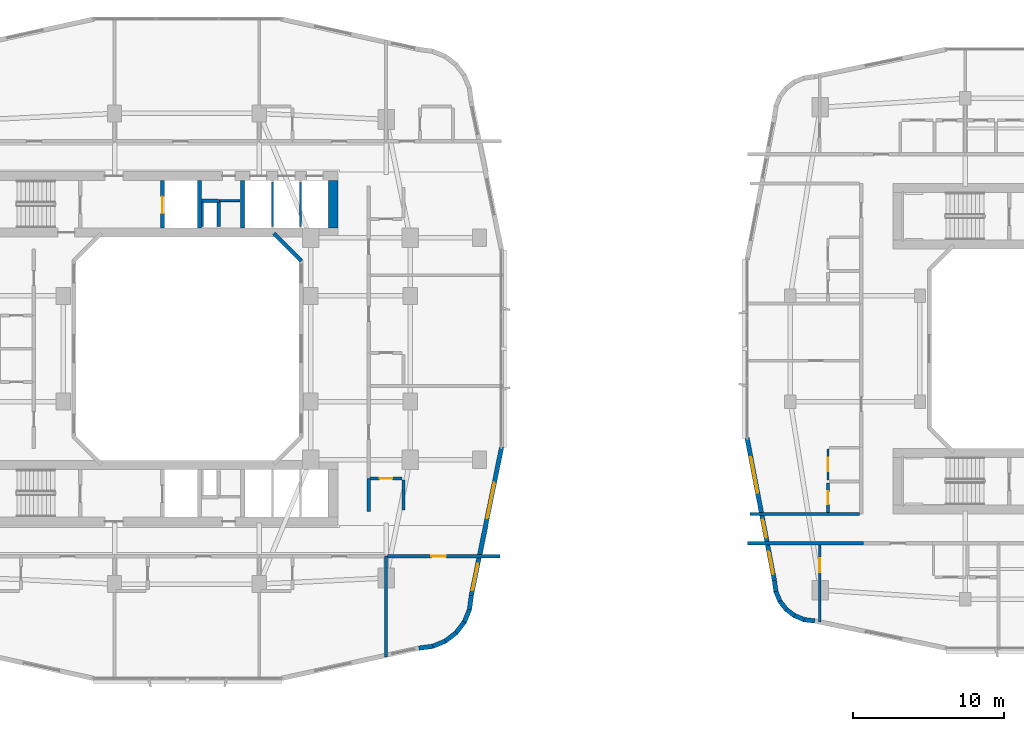
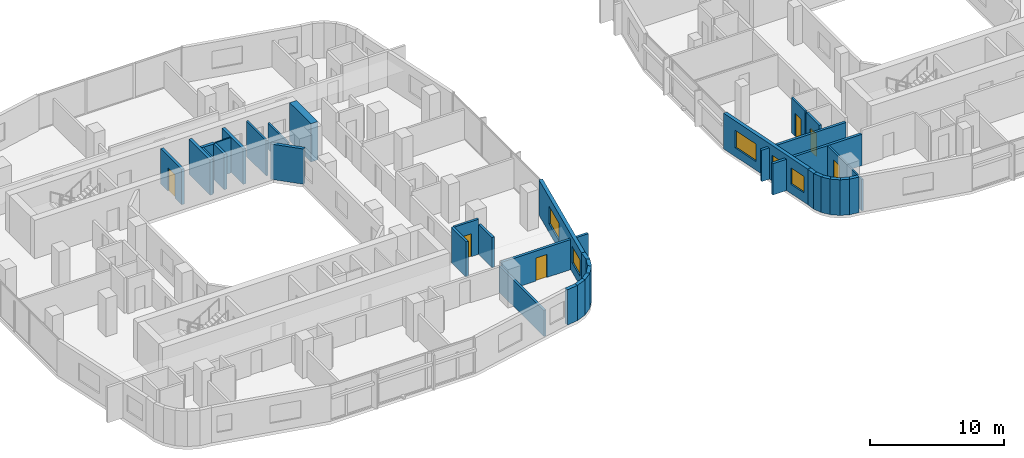
# One storey, part 15 of 27: 35 walls, 6 doors, 5 windows, 11 openings.
"""IFC4 building model written with IfcOpenShell, lengths in metres."""

from ifc_helpers import new_model, si_unit, derived_unit, direction, frame, frame_2d, origin, place, context, subcontext, project, spatial, rectangle, extrude, material, layer, layer_set, type_object, element, fill, save


model = new_model("IFC4")

# Units and contexts
model_context = context("Model", 3, precision=1e-05, world=origin(), true_north=direction((0.0, 1.0)))
body_context = subcontext(model_context, "Body", "Model", "MODEL_VIEW")
ifc_project = project(units=[si_unit("LENGTHUNIT", "METRE"), si_unit("AREAUNIT", "SQUARE_METRE"), si_unit("VOLUMEUNIT", "CUBIC_METRE"), si_unit("PLANEANGLEUNIT", "RADIAN"), si_unit("MASSUNIT", "GRAM", prefix="KILO"), derived_unit("THERMALTRANSMITTANCEUNIT", [(si_unit("POWERUNIT", "WATT"), 1), (si_unit("LENGTHUNIT", "METRE"), -2), (si_unit("THERMODYNAMICTEMPERATUREUNIT", "KELVIN"), -1)])], contexts=[model_context])

# Site, building, storey
site_placement = place(None, origin())
site = spatial("IfcSite", under=ifc_project, at=site_placement, CompositionType="ELEMENT")
building_placement = place(site_placement, origin())
building = spatial("IfcBuilding", under=site, at=building_placement, Name="Kivonza Crest Hotel", CompositionType="ELEMENT")
storey_placement = place(building_placement, frame((0.0, 0.0, 31.0)))
storey = spatial("IfcBuildingStorey", under=building, at=storey_placement, Name="L07", CompositionType="ELEMENT", Elevation=31.0)

# Wall
ifc_material_1 = material(Name="High-density acoustic masonry inter-tenancy wall", Category="masonry")
ifc_layer_1 = layer(ifc_material_1, 0.179931640625)
ifc_layer_set_1 = layer_set([ifc_layer_1], Name="High-density acoustic masonry inter-tenancy wall")
wall_type_1 = type_object("IfcWallType", Name="WL-ACOU-180", PredefinedType="SOLIDWALL", material=ifc_layer_set_1)
wall_1_placement = place(storey_placement, frame((34.199951171875, 4.575927734375, 0.0), z_axis=(0.0, 0.0, 1.0), x_axis=(0.0, 1.0, 0.0)))
element("IfcWall", 1, at=wall_1_placement, inside=storey, type_object=wall_type_1, Name="L07 interior partition WA-L07-T1S-DIV4", PredefinedType="SOLIDWALL", context=body_context, shape_type="SweptSolid", body=[
    extrude(rectangle(XDim=6.674072265625, YDim=0.179931640625, at=frame_2d((3.3369140625, 0.0))), origin(), (0.0, 0.0, 1.0), 2.39501953125),
])

# Wall, opening, door
ifc_material_2 = material(Name="Autoclaved aerated concrete blockwork", Category="masonry")
ifc_layer_2 = layer(ifc_material_2, 0.219970703125)
ifc_layer_set_2 = layer_set([ifc_layer_2], Name="Autoclaved aerated concrete blockwork")
wall_type_2 = type_object("IfcWallType", Name="WL-ACOU-220", PredefinedType="SOLIDWALL", material=ifc_layer_set_2)
wall_2_placement = place(storey_placement, frame((34.300048828125, 11.25, 0.0), z_axis=(0.0, 0.0, 1.0), x_axis=(1.0, 0.0, 0.0)))
wall_2 = element("IfcWall", 2, at=wall_2_placement, inside=storey, type_object=wall_type_2, Name="L07 interior partition WA-L07-BUS-MTG-N", PredefinedType="SOLIDWALL", context=body_context, shape_type="SweptSolid", body=[
    extrude(rectangle(XDim=7.43994140625, YDim=0.219970703125, at=frame_2d((3.719970703125, 0.0))), origin(), (0.0, 0.0, 1.0), 2.7451171875),
])
opening_1_placement = place(wall_2_placement, frame((2.910888671875, 0.0, 0.0)))
opening_1 = element("IfcOpeningElement", 3, at=opening_1_placement, cuts=wall_2, Name="Opening DF-60S", PredefinedType="OPENING", context=body_context, shape_type="SweptSolid", body=[
    extrude(rectangle(XDim=0.949951171875, YDim=2.10009765625, at=frame_2d((0.47509765625, 1.050048828125))), frame((0.0, 0.1201171875, 0.0), z_axis=(0.0, -1.0, 0.0), x_axis=(1.0, 0.0, 0.0)), (0.0, 0.0, 1.0), 0.239990234375),
])
ifc_material_3 = material(Name="Hardwood timber oak", Category="wood")
door_type_1 = type_object("IfcDoorType", Name="DR-FD60-950", OperationType="NOTDEFINED", PredefinedType="DOOR", material=ifc_material_3)
door_1_placement = place(opening_1_placement, frame((0.949951171875, 0.0, 0.0), z_axis=(0.0, 0.0, 1.0), x_axis=(-1.0, 0.0, 0.0)))
door_1 = element("IfcDoor", 4, at=door_1_placement, inside=storey, type_object=door_type_1, Name="L07 Floor Beverage Kitchen door", OperationType="SINGLE_SWING_RIGHT", OverallHeight=2.10009765625, OverallWidth=0.949951171875, PredefinedType="DOOR", context=body_context, shape_type="SweptSolid", body=[
    extrude(rectangle(XDim=0.949951171875, YDim=2.10009765625, at=frame_2d((0.47509765625, 1.050048828125))), frame((0.0, 0.02490234375, 0.0), z_axis=(0.0, -1.0, 0.0), x_axis=(1.0, 0.0, 0.0)), (0.0, 0.0, 1.0), 0.050048828125),
])
fill(opening_1, door_1)

# Walls
wall_3_placement = place(storey_placement, frame((33.050048828125, 14.199951171875, 0.0), z_axis=(0.0, 0.0, 1.0), x_axis=(0.0, 1.0, 0.0)))
element("IfcWall", 5, at=wall_3_placement, inside=storey, type_object=wall_type_2, Name="L07 interior partition WA-L07-E10-BCORR", PredefinedType="SOLIDWALL", context=body_context, shape_type="SweptSolid", body=[
    extrude(rectangle(XDim=2.199951171875, YDim=0.219970703125, at=frame_2d((1.10009765625, 0.0))), origin(), (0.0, 0.0, 1.0), 3.219970703125),
])
wall_4_placement = place(storey_placement, frame((58.159912109375, 12.10009765625, 0.0), z_axis=(0.0, 0.0, 1.0), x_axis=(1.0, 0.0, 0.0)))
element("IfcWall", 6, at=wall_4_placement, inside=storey, type_object=wall_type_2, Name="L07 interior partition WA-L07-A04-LCORR", PredefinedType="SOLIDWALL", context=body_context, shape_type="SweptSolid", body=[
    extrude(rectangle(XDim=7.690185546875, YDim=0.219970703125, at=frame_2d((3.84521484375, 0.0))), origin(), (0.0, 0.0, 1.0), 2.864990234375),
])
wall_5_placement = place(storey_placement, frame((58.320068359375, 14.0400390625, 0.0), z_axis=(0.0, 0.0, 1.0), x_axis=(1.0, 0.0, 0.0)))
element("IfcWall", 7, at=wall_5_placement, inside=storey, type_object=wall_type_2, Name="L07 interior partition WA-L07-T2W-ENDS", PredefinedType="SOLIDWALL", context=body_context, shape_type="SweptSolid", body=[
    extrude(rectangle(XDim=7.280029296875, YDim=0.219970703125, at=frame_2d((3.64013671875, 0.0))), origin(), (0.0, 0.0, 1.0), 2.864990234375),
])
ifc_material_4 = material(Name="Concrete C60/75", Category="concrete")
ifc_layer_3 = layer(ifc_material_4, 0.60009765625)
ifc_layer_set_3 = layer_set([ifc_layer_3], Name="Concrete C60/75")
wall_type_3 = type_object("IfcWallType", Name="WL-CORE-600", PredefinedType="SHEAR", material=ifc_layer_set_3)
wall_6_placement = place(storey_placement, frame((30.699951171875, 33.0, 0.0), z_axis=(0.0, 0.0, 1.0), x_axis=(0.0, 1.0, 0.0)))
element("IfcWall", 8, at=wall_6_placement, inside=storey, type_object=wall_type_3, Name="Core wall T1-N East L07", PredefinedType="SHEAR", context=body_context, shape_type="SweptSolid", body=[
    extrude(rectangle(XDim=3.159912109375, YDim=0.60009765625, at=frame_2d((1.580078125, 0.0))), origin(), (0.0, 0.0, 1.0), 3.5),
])
ifc_material_5 = material(Name="Precast concrete C40/50", Category="concrete")
ifc_layer_4 = layer(ifc_material_5, 0.260009765625)
ifc_layer_set_4 = layer_set([ifc_layer_4], Name="Precast concrete C40/50")
wall_type_4 = type_object("IfcWallType", Name="WL-EXT-260", PredefinedType="STANDARD", material=ifc_layer_set_4)
wall_7_placement = place(storey_placement, frame((28.595947265625, 30.827880859375, 0.0), z_axis=(0.0, 0.0, 1.0), x_axis=(-0.707059717605, 0.707153841636, 0.0)))
element("IfcWall", 9, at=wall_7_placement, inside=storey, type_object=wall_type_4, Name="L07 T1 light-well exterior wall 4", PredefinedType="STANDARD", context=body_context, shape_type="SweptSolid", body=[
    extrude(rectangle(XDim=2.59375, YDim=0.260009765625, at=frame_2d((1.296875, 0.0))), origin(), (0.0, 0.0, 1.0), 3.219970703125),
])
ifc_layer_5 = layer(ifc_material_5, 0.300048828125)
ifc_layer_set_5 = layer_set([ifc_layer_5], Name="Precast concrete C40/50")
wall_type_5 = type_object("IfcWallType", Name="WL-EXT-300", PredefinedType="STANDARD", material=ifc_layer_set_5)
wall_8_placement = place(storey_placement, frame((36.3720703125, 5.14794921875, 0.0), z_axis=(0.0, 0.0, 1.0), x_axis=(0.991359246108, 0.131174864804, 0.0)))
element("IfcWall", 10, at=wall_8_placement, inside=storey, type_object=wall_type_5, Name="L07 T1 exterior insulated wall 10", PredefinedType="STANDARD", context=body_context, shape_type="SweptSolid", body=[
    extrude(rectangle(XDim=0.93798828125, YDim=0.300048828125, at=frame_2d((0.468994140625, 0.0))), origin(), (0.0, 0.0, 1.0), 3.219970703125),
])
wall_9_placement = place(storey_placement, frame((37.251953125, 5.251953125, 0.0), z_axis=(0.0, 0.0, 1.0), x_axis=(0.924019948111, 0.382344263057, 0.0)))
element("IfcWall", 11, at=wall_9_placement, inside=storey, type_object=wall_type_5, Name="L07 T1 exterior insulated wall 11", PredefinedType="STANDARD", context=body_context, shape_type="SweptSolid", body=[
    extrude(rectangle(XDim=0.95458984375, YDim=0.300048828125, at=frame_2d((0.477294921875, 0.0))), origin(), (0.0, 0.0, 1.0), 3.219970703125),
])
wall_10_placement = place(storey_placement, frame((38.089111328125, 5.5859375, 0.0), z_axis=(0.0, 0.0, 1.0), x_axis=(0.793573440799, 0.608474481025, 0.0)))
element("IfcWall", 12, at=wall_10_placement, inside=storey, type_object=wall_type_5, Name="L07 T1 exterior insulated wall 12", PredefinedType="STANDARD", context=body_context, shape_type="SweptSolid", body=[
    extrude(rectangle(XDim=0.954833984375, YDim=0.300048828125, at=frame_2d((0.4775390625, 0.0))), origin(), (0.0, 0.0, 1.0), 3.219970703125),
])
wall_11_placement = place(storey_placement, frame((38.81201171875, 6.125, 0.0), z_axis=(0.0, 0.0, 1.0), x_axis=(0.608351047625, 0.793668068435, 0.0)))
element("IfcWall", 13, at=wall_11_placement, inside=storey, type_object=wall_type_5, Name="L07 T1 exterior insulated wall 13", PredefinedType="STANDARD", context=body_context, shape_type="SweptSolid", body=[
    extrude(rectangle(XDim=0.955078125, YDim=0.300048828125, at=frame_2d((0.4775390625, 0.0))), origin(), (0.0, 0.0, 1.0), 3.219970703125),
])
wall_12_placement = place(storey_placement, frame((39.368896484375, 6.833984375, 0.0), z_axis=(0.0, 0.0, 1.0), x_axis=(0.382344263057, 0.924019948111, 0.0)))
element("IfcWall", 14, at=wall_12_placement, inside=storey, type_object=wall_type_5, Name="L07 T1 exterior insulated wall 14", PredefinedType="STANDARD", context=body_context, shape_type="SweptSolid", body=[
    extrude(rectangle(XDim=0.95458984375, YDim=0.300048828125, at=frame_2d((0.477294921875, 0.0))), origin(), (0.0, 0.0, 1.0), 3.219970703125),
])
wall_13_placement = place(storey_placement, frame((39.72509765625, 7.6630859375, 0.0), z_axis=(0.0, 0.0, 1.0), x_axis=(0.130454512571, 0.991454295543, 0.0)))
element("IfcWall", 15, at=wall_13_placement, inside=storey, type_object=wall_type_5, Name="L07 T1 exterior insulated wall 15", PredefinedType="STANDARD", context=body_context, shape_type="SweptSolid", body=[
    extrude(rectangle(XDim=0.97314453125, YDim=0.300048828125, at=frame_2d((0.486572265625, 0.0))), origin(), (0.0, 0.0, 1.0), 3.219970703125),
])

# Wall, openings, windows
wall_14_placement = place(storey_placement, frame((39.85107421875, 8.6220703125, 0.0), z_axis=(0.0, 0.0, 1.0), x_axis=(0.199990901713, 0.979797754249, 0.0)))
wall_14 = element("IfcWall", 16, at=wall_14_placement, inside=storey, type_object=wall_type_5, Name="L07 T1 exterior insulated wall 16", PredefinedType="STANDARD", context=body_context, shape_type="SweptSolid", body=[
    extrude(rectangle(XDim=10.065185546875, YDim=0.300048828125, at=frame_2d((5.03271484375, 0.0))), origin(), (0.0, 0.0, 1.0), 3.219970703125),
])
opening_2_placement = place(wall_14_placement, frame((0.3779296875, 0.0, 0.85009765625)))
opening_2 = element("IfcOpeningElement", 17, at=opening_2_placement, cuts=wall_14, Name="Opening WN-03", PredefinedType="OPENING", context=body_context, shape_type="SweptSolid", body=[
    extrude(rectangle(XDim=1.800048828125, YDim=1.5, at=frame_2d((0.89990234375, 0.75))), frame((0.0, 0.16015625, 0.0), z_axis=(0.0, -1.0, 0.0), x_axis=(1.0, 0.0, 0.0)), (0.0, 0.0, 1.0), 0.320068359375),
])
opening_3_placement = place(wall_14_placement, frame((5.236083984375, 0.0, 0.800048828125)))
opening_3 = element("IfcOpeningElement", 18, at=opening_3_placement, cuts=wall_14, Name="Opening WN-05", PredefinedType="OPENING", context=body_context, shape_type="SweptSolid", body=[
    extrude(rectangle(XDim=2.39990234375, YDim=1.60009765625, at=frame_2d((1.199951171875, 0.800048828125))), frame((0.0, 0.16015625, 0.0), z_axis=(0.0, -1.0, 0.0), x_axis=(1.0, 0.0, 0.0)), (0.0, 0.0, 1.0), 0.320068359375),
])
ifc_material_6 = material(Name="Thermally broken bronze aluminium and low-E double glazing", Category="aluminium")
window_type_1 = type_object("IfcWindowType", Name="WN-180x150", PartitioningType="DOUBLE_PANEL_VERTICAL", PredefinedType="WINDOW", material=ifc_material_6)
window_1_placement = place(opening_2_placement, origin())
window_1 = element("IfcWindow", 19, at=window_1_placement, inside=storey, type_object=window_type_1, Name="L07 T1 facade window 16 bay 1", OverallHeight=1.5, OverallWidth=1.800048828125, PartitioningType="SINGLE_PANEL", PredefinedType="WINDOW", context=body_context, shape_type="SweptSolid", body=[
    extrude(rectangle(XDim=1.800048828125, YDim=1.5, at=frame_2d((0.89990234375, 0.75))), frame((0.0, 0.030029296875, 0.0), z_axis=(0.0, -1.0, 0.0), x_axis=(1.0, 0.0, 0.0)), (0.0, 0.0, 1.0), 0.06005859375),
])
fill(opening_2, window_1)
window_type_2 = type_object("IfcWindowType", Name="WN-240x160", PartitioningType="TRIPLE_PANEL_VERTICAL", PredefinedType="WINDOW", material=ifc_material_6)
window_2_placement = place(opening_3_placement, origin())
window_2 = element("IfcWindow", 20, at=window_2_placement, inside=storey, type_object=window_type_2, Name="L07 T1 facade window 16 bay 2", OverallHeight=1.60009765625, OverallWidth=2.39990234375, PartitioningType="SINGLE_PANEL", PredefinedType="WINDOW", context=body_context, shape_type="SweptSolid", body=[
    extrude(rectangle(XDim=2.39990234375, YDim=1.60009765625, at=frame_2d((1.199951171875, 0.800048828125))), frame((0.0, 0.030029296875, 0.0), z_axis=(0.0, -1.0, 0.0), x_axis=(1.0, 0.0, 0.0)), (0.0, 0.0, 1.0), 0.06005859375),
])
fill(opening_3, window_2)

# Walls
wall_15_placement = place(storey_placement, frame((59.947998046875, 9.626953125, 0.0), z_axis=(0.0, 0.0, 1.0), x_axis=(0.130255288807, -0.991480488834, 0.0)))
element("IfcWall", 21, at=wall_15_placement, inside=storey, type_object=wall_type_5, Name="L07 T2 exterior insulated wall 1", PredefinedType="STANDARD", context=body_context, shape_type="SweptSolid", body=[
    extrude(rectangle(XDim=0.72900390625, YDim=0.300048828125, at=frame_2d((0.364501953125, 0.0))), origin(), (0.0, 0.0, 1.0), 3.25),
])
for number, where, z_axis, x_axis, name in (
    (22, (60.02392578125, 8.955078125, 0.0), (0.0, 0.0, 1.0), (0.383546213491, -0.923521684703, 0.0), "L07 T2 exterior insulated wall 2"),
    (23, (60.279052734375, 8.31103515625, 0.0), (0.0, 0.0, 1.0), (0.608397189915, -0.79363269798, 0.0), "L07 T2 exterior insulated wall 3"),
    (24, (60.69091796875, 7.75390625, 0.0), (0.0, 0.0, 1.0), (0.79363269798, -0.608397189915, 0.0), "L07 T2 exterior insulated wall 4"),
    (25, (61.23388671875, 7.323974609375, 0.0), (0.0, 0.0, 1.0), (0.923685632463, -0.383151213466, 0.0), "L07 T2 exterior insulated wall 5"),
):
    element("IfcWall", number, at=place(storey_placement, frame(where, z_axis=z_axis, x_axis=x_axis)), inside=storey, type_object=wall_type_5, Name=name, PredefinedType="STANDARD", context=body_context, shape_type="SweptSolid", body=[
        extrude(rectangle(XDim=0.74609375, YDim=0.300048828125, at=frame_2d((0.373046875, 0.0))), origin(), (0.0, 0.0, 1.0), 3.25),
    ])
wall_16_placement = place(storey_placement, frame((61.868896484375, 7.047119140625, 0.0), z_axis=(0.0, 0.0, 1.0), x_axis=(0.991559404866, -0.129653178221, 0.0)))
element("IfcWall", 26, at=wall_16_placement, inside=storey, type_object=wall_type_5, Name="L07 T2 exterior insulated wall 6", PredefinedType="STANDARD", context=body_context, shape_type="SweptSolid", body=[
    extrude(rectangle(XDim=0.764404296875, YDim=0.300048828125, at=frame_2d((0.38232421875, 0.0))), origin(), (0.0, 0.0, 1.0), 3.25),
])

# Wall, openings, windows
wall_17_placement = place(storey_placement, frame((58.136962890625, 19.08203125, 0.0), z_axis=(0.0, 0.0, 1.0), x_axis=(0.188087874316, -0.982152203854, 0.0)))
wall_17 = element("IfcWall", 27, at=wall_17_placement, inside=storey, type_object=wall_type_5, Name="L07 T2 exterior insulated wall 36", PredefinedType="STANDARD", context=body_context, shape_type="SweptSolid", body=[
    extrude(rectangle(XDim=9.6337890625, YDim=0.300048828125, at=frame_2d((4.81689453125, 0.0))), origin(), (0.0, 0.0, 1.0), 3.25),
])
opening_4_placement = place(wall_17_placement, frame((1.305908203125, 0.0, 0.800048828125)))
opening_4 = element("IfcOpeningElement", 28, at=opening_4_placement, cuts=wall_17, Name="Opening WN-05", PredefinedType="OPENING", context=body_context, shape_type="SweptSolid", body=[
    extrude(rectangle(XDim=2.39990234375, YDim=1.60009765625, at=frame_2d((1.199951171875, 0.800048828125))), frame((0.0, 0.16015625, 0.0), z_axis=(0.0, -1.0, 0.0), x_axis=(1.0, 0.0, 0.0)), (0.0, 0.0, 1.0), 0.320068359375),
])
opening_5_placement = place(wall_17_placement, frame((5.52099609375, 0.0, 0.85009765625)))
opening_5 = element("IfcOpeningElement", 29, at=opening_5_placement, cuts=wall_17, Name="Opening WN-01", PredefinedType="OPENING", context=body_context, shape_type="SweptSolid", body=[
    extrude(rectangle(XDim=1.199951171875, YDim=1.5, at=frame_2d((0.60009765625, 0.75))), frame((0.0, 0.16015625, 0.0), z_axis=(0.0, -1.0, 0.0), x_axis=(1.0, 0.0, 0.0)), (0.0, 0.0, 1.0), 0.320068359375),
])
opening_6_placement = place(wall_17_placement, frame((7.681884765625, 0.0, 0.85009765625)))
opening_6 = element("IfcOpeningElement", 30, at=opening_6_placement, cuts=wall_17, Name="Opening WN-02", PredefinedType="OPENING", context=body_context, shape_type="SweptSolid", body=[
    extrude(rectangle(XDim=1.5, YDim=1.5, at=frame_2d((0.75, 0.75))), frame((0.0, 0.16015625, 0.0), z_axis=(0.0, -1.0, 0.0), x_axis=(1.0, 0.0, 0.0)), (0.0, 0.0, 1.0), 0.320068359375),
])
window_type_3 = type_object("IfcWindowType", Name="WN-120x150", PartitioningType="SINGLE_PANEL", PredefinedType="WINDOW", material=ifc_material_6)
window_3_placement = place(opening_5_placement, origin())
window_3 = element("IfcWindow", 31, at=window_3_placement, inside=storey, type_object=window_type_3, Name="L07 T2 facade window 36 bay 2", OverallHeight=1.5, OverallWidth=1.199951171875, PartitioningType="SINGLE_PANEL", PredefinedType="WINDOW", context=body_context, shape_type="SweptSolid", body=[
    extrude(rectangle(XDim=1.199951171875, YDim=1.5, at=frame_2d((0.60009765625, 0.75))), frame((0.0, 0.030029296875, 0.0), z_axis=(0.0, -1.0, 0.0), x_axis=(1.0, 0.0, 0.0)), (0.0, 0.0, 1.0), 0.06005859375),
])
fill(opening_5, window_3)
window_type_4 = type_object("IfcWindowType", Name="WN-150x150", PartitioningType="DOUBLE_PANEL_VERTICAL", PredefinedType="WINDOW", material=ifc_material_6)
window_4_placement = place(opening_6_placement, origin())
window_4 = element("IfcWindow", 32, at=window_4_placement, inside=storey, type_object=window_type_4, Name="L07 T2 facade window 36 bay 3", OverallHeight=1.5, OverallWidth=1.5, PartitioningType="SINGLE_PANEL", PredefinedType="WINDOW", context=body_context, shape_type="SweptSolid", body=[
    extrude(rectangle(XDim=1.5, YDim=1.5, at=frame_2d((0.75, 0.75))), frame((0.0, 0.030029296875, 0.0), z_axis=(0.0, -1.0, 0.0), x_axis=(1.0, 0.0, 0.0)), (0.0, 0.0, 1.0), 0.06005859375),
])
fill(opening_6, window_4)
window_5_placement = place(opening_4_placement, origin())
window_5 = element("IfcWindow", 33, at=window_5_placement, inside=storey, type_object=window_type_2, Name="L07 T2 facade window 36 bay 1", OverallHeight=1.60009765625, OverallWidth=2.39990234375, PartitioningType="SINGLE_PANEL", PredefinedType="WINDOW", context=body_context, shape_type="SweptSolid", body=[
    extrude(rectangle(XDim=2.39990234375, YDim=1.60009765625, at=frame_2d((1.199951171875, 0.800048828125))), frame((0.0, 0.030029296875, 0.0), z_axis=(0.0, -1.0, 0.0), x_axis=(1.0, 0.0, 0.0)), (0.0, 0.0, 1.0), 0.06005859375),
])
fill(opening_4, window_5)

# Walls
ifc_material_7 = material(Name="Concrete blockwork fire-compartment wall", Category="masonry")
ifc_layer_6 = layer(ifc_material_7, 0.25)
ifc_layer_set_6 = layer_set([ifc_layer_6], Name="Concrete blockwork fire-compartment wall")
wall_type_6 = type_object("IfcWallType", Name="WL-FIRE-250", PredefinedType="SOLIDWALL", material=ifc_layer_set_6)
wall_18_placement = place(storey_placement, frame((23.10009765625, 33.10009765625, 0.0), z_axis=(0.0, 0.0, 1.0), x_axis=(0.0, 1.0, 0.0)))
element("IfcWall", 34, at=wall_18_placement, inside=storey, type_object=wall_type_6, Name="L07 interior partition WA-L07-T1-N-MEPR-E", PredefinedType="SOLIDWALL", context=body_context, shape_type="SweptSolid", body=[
    extrude(rectangle(XDim=1.619873046875, YDim=0.25, at=frame_2d((0.81005859375, 0.0))), origin(), (0.0, 0.0, 1.0), 3.219970703125),
])
wall_19_placement = place(storey_placement, frame((21.949951171875, 34.820068359375, 0.0), z_axis=(0.0, 0.0, 1.0), x_axis=(1.0, 0.0, 0.0)))
element("IfcWall", 35, at=wall_19_placement, inside=storey, type_object=wall_type_6, Name="L07 interior partition WA-L07-T1-N-MEPR-H", PredefinedType="SOLIDWALL", context=body_context, shape_type="SweptSolid", body=[
    extrude(rectangle(XDim=1.150146484375, YDim=0.25, at=frame_2d((0.5751953125, 0.0))), origin(), (0.0, 0.0, 1.0), 3.219970703125),
])
ifc_material_8 = material(Name="Metal-stud gypsum board partition", Category="gypsum")
ifc_layer_7 = layer(ifc_material_8, 0.125)
ifc_layer_set_7 = layer_set([ifc_layer_7], Name="Metal-stud gypsum board partition")
wall_type_7 = type_object("IfcWallType", Name="WL-PART-125", PredefinedType="PARTITIONING", material=ifc_layer_set_7)
wall_20_placement = place(storey_placement, frame((23.14990234375, 34.820068359375, 0.0), z_axis=(0.0, 0.0, 1.0), x_axis=(1.0, 0.0, 0.0)))
element("IfcWall", 36, at=wall_20_placement, inside=storey, type_object=wall_type_7, Name="L07 interior partition WP-L07-T1-N-SV2H", PredefinedType="PARTITIONING", context=body_context, shape_type="SweptSolid", body=[
    extrude(rectangle(XDim=1.35009765625, YDim=0.125, at=frame_2d((0.675048828125, 0.0))), origin(), (0.0, 0.0, 1.0), 3.219970703125),
])
ifc_material_9 = material(Name="Twin-stud acoustic gypsum board partition", Category="gypsum")
ifc_layer_8 = layer(ifc_material_9, 0.14990234375)
ifc_layer_set_8 = layer_set([ifc_layer_8], Name="Twin-stud acoustic gypsum board partition")
wall_type_8 = type_object("IfcWallType", Name="WL-PART-150", PredefinedType="PARTITIONING", material=ifc_layer_set_8)
wall_21_placement = place(storey_placement, frame((22.030029296875, 33.10009765625, 0.0), z_axis=(0.0, 0.0, 1.0), x_axis=(0.0, 1.0, 0.0)))
element("IfcWall", 37, at=wall_21_placement, inside=storey, type_object=wall_type_8, Name="L07 interior partition WA-L07-T1-N-MEPR-W", PredefinedType="PARTITIONING", context=body_context, shape_type="SweptSolid", body=[
    extrude(rectangle(XDim=1.619873046875, YDim=0.14990234375, at=frame_2d((0.81005859375, 0.0))), origin(), (0.0, 0.0, 1.0), 3.219970703125),
])
wall_22_placement = place(storey_placement, frame((26.6669921875, 33.10009765625, 0.0), z_axis=(0.0, 0.0, 1.0), x_axis=(0.0, 1.0, 0.0)))
element("IfcWall", 38, at=wall_22_placement, inside=storey, type_object=wall_type_8, Name="L07 interior partition WP-L07-T1-N-BSH-1", PredefinedType="PARTITIONING", context=body_context, shape_type="SweptSolid", body=[
    extrude(rectangle(XDim=2.9599609375, YDim=0.14990234375, at=frame_2d((1.47998046875, 0.0))), origin(), (0.0, 0.0, 1.0), 3.219970703125),
])
wall_23_placement = place(storey_placement, frame((28.532958984375, 33.10009765625, 0.0), z_axis=(0.0, 0.0, 1.0), x_axis=(0.0, 1.0, 0.0)))
element("IfcWall", 39, at=wall_23_placement, inside=storey, type_object=wall_type_8, Name="L07 interior partition WP-L07-T1-N-BSH-2", PredefinedType="PARTITIONING", context=body_context, shape_type="SweptSolid", body=[
    extrude(rectangle(XDim=2.9599609375, YDim=0.14990234375, at=frame_2d((1.47998046875, 0.0))), origin(), (0.0, 0.0, 1.0), 2.39501953125),
])

# Wall, opening, door
wall_24_placement = place(storey_placement, frame((62.9599609375, 6.886962890625, 0.0), z_axis=(0.0, 0.0, 1.0), x_axis=(0.0, 1.0, 0.0)))
wall_24 = element("IfcWall", 40, at=wall_24_placement, inside=storey, type_object=wall_type_8, Name="L07 interior partition WP-L07-A04-BDW1", PredefinedType="PARTITIONING", context=body_context, shape_type="SweptSolid", body=[
    extrude(rectangle(XDim=5.113037109375, YDim=0.14990234375, at=frame_2d((2.556640625, 0.0))), origin(), (0.0, 0.0, 1.0), 2.864990234375),
])
opening_7_placement = place(wall_24_placement, frame((3.31005859375, 0.0, 0.0)))
opening_7 = element("IfcOpeningElement", 41, at=opening_7_placement, cuts=wall_24, Name="Opening DI-90", PredefinedType="OPENING", context=body_context, shape_type="SweptSolid", body=[
    extrude(rectangle(XDim=0.89990234375, YDim=2.10009765625, at=frame_2d((0.449951171875, 1.050048828125))), frame((0.0, 0.0849609375, 0.0), z_axis=(0.0, -1.0, 0.0), x_axis=(1.0, 0.0, 0.0)), (0.0, 0.0, 1.0), 0.169921875),
])
door_type_2 = type_object("IfcDoorType", Name="DR-INT-900", OperationType="NOTDEFINED", PredefinedType="DOOR", material=ifc_material_3)
door_2_placement = place(opening_7_placement, origin())
door_2 = element("IfcDoor", 42, at=door_2_placement, inside=storey, type_object=door_type_2, Name="L07 A04 bedroom 1 door", OperationType="SINGLE_SWING_LEFT", OverallHeight=2.10009765625, OverallWidth=0.89990234375, PredefinedType="DOOR", context=body_context, shape_type="SweptSolid", body=[
    extrude(rectangle(XDim=0.89990234375, YDim=2.10009765625, at=frame_2d((0.449951171875, 1.050048828125))), frame((0.0, 0.02490234375, 0.0), z_axis=(0.0, -1.0, 0.0), x_axis=(1.0, 0.0, 0.0)), (0.0, 0.0, 1.0), 0.050048828125),
])
fill(opening_7, door_2)

wall_25_placement = place(storey_placement, frame((63.5, 16.2900390625, 0.0), z_axis=(0.0, 0.0, 1.0), x_axis=(0.0, 1.0, 0.0)))
wall_25 = element("IfcWall", 43, at=wall_25_placement, inside=storey, type_object=wall_type_8, Name="L07 interior partition WP-L07-A06-KSVC", PredefinedType="PARTITIONING", context=body_context, shape_type="SweptSolid", body=[
    extrude(rectangle(XDim=2.050048828125, YDim=0.14990234375, at=frame_2d((1.02490234375, 0.0))), origin(), (0.0, 0.0, 1.0), 3.219970703125),
])
opening_8_placement = place(wall_25_placement, frame((0.574951171875, 0.0, 0.0)))
opening_8 = element("IfcOpeningElement", 44, at=opening_8_placement, cuts=wall_25, Name="Opening DI-90", PredefinedType="OPENING", context=body_context, shape_type="SweptSolid", body=[
    extrude(rectangle(XDim=0.89990234375, YDim=2.10009765625, at=frame_2d((0.449951171875, 1.050048828125))), frame((0.0, 0.0849609375, 0.0), z_axis=(0.0, -1.0, 0.0), x_axis=(1.0, 0.0, 0.0)), (0.0, 0.0, 1.0), 0.169921875),
])
door_3_placement = place(opening_8_placement, origin())
door_3 = element("IfcDoor", 45, at=door_3_placement, inside=storey, type_object=door_type_2, Name="L07 A06 apartment kitchen door", OperationType="SINGLE_SWING_RIGHT", OverallHeight=2.10009765625, OverallWidth=0.89990234375, PredefinedType="DOOR", context=body_context, shape_type="SweptSolid", body=[
    extrude(rectangle(XDim=0.89990234375, YDim=2.10009765625, at=frame_2d((0.449951171875, 1.050048828125))), frame((0.0, 0.02490234375, 0.0), z_axis=(0.0, -1.0, 0.0), x_axis=(1.0, 0.0, 0.0)), (0.0, 0.0, 1.0), 0.050048828125),
])
fill(opening_8, door_3)

ifc_material_10 = material(Name="Moisture-resistant plumbing chase partition wall", Category="gypsum")
ifc_layer_9 = layer(ifc_material_10, 0.199951171875)
ifc_layer_set_9 = layer_set([ifc_layer_9], Name="Moisture-resistant plumbing chase partition wall")
wall_type_9 = type_object("IfcWallType", Name="WL-PLUMB-200", PredefinedType="PLUMBINGWALL", material=ifc_layer_set_9)
wall_26_placement = place(storey_placement, frame((33.14990234375, 16.39990234375, 0.0), z_axis=(0.0, 0.0, 1.0), x_axis=(1.0, 0.0, 0.0)))
wall_26 = element("IfcWall", 46, at=wall_26_placement, inside=storey, type_object=wall_type_9, Name="L07 interior partition WW-L07-E10-BH", PredefinedType="PLUMBINGWALL", context=body_context, shape_type="SweptSolid", body=[
    extrude(rectangle(XDim=2.10009765625, YDim=0.199951171875, at=frame_2d((1.050048828125, 0.0))), origin(), (0.0, 0.0, 1.0), 3.219970703125),
])
opening_9_placement = place(wall_26_placement, frame((0.625, 0.0, 0.0)))
opening_9 = element("IfcOpeningElement", 47, at=opening_9_placement, cuts=wall_26, Name="Opening DI-85", PredefinedType="OPENING", context=body_context, shape_type="SweptSolid", body=[
    extrude(rectangle(XDim=0.85009765625, YDim=2.10009765625, at=frame_2d((0.425048828125, 1.050048828125))), frame((0.0, 0.10986328125, 0.0), z_axis=(0.0, -1.0, 0.0), x_axis=(1.0, 0.0, 0.0)), (0.0, 0.0, 1.0), 0.219970703125),
])
door_type_3 = type_object("IfcDoorType", Name="DR-INT-850", OperationType="NOTDEFINED", PredefinedType="DOOR", material=ifc_material_3)
door_4_placement = place(opening_9_placement, origin())
door_4 = element("IfcDoor", 48, at=door_4_placement, inside=storey, type_object=door_type_3, Name="L07 E10 en-suite bathroom door", OperationType="SINGLE_SWING_LEFT", OverallHeight=2.10009765625, OverallWidth=0.85009765625, PredefinedType="DOOR", context=body_context, shape_type="SweptSolid", body=[
    extrude(rectangle(XDim=0.85009765625, YDim=2.10009765625, at=frame_2d((0.425048828125, 1.050048828125))), frame((0.0, 0.02490234375, 0.0), z_axis=(0.0, -1.0, 0.0), x_axis=(1.0, 0.0, 0.0)), (0.0, 0.0, 1.0), 0.050048828125),
])
fill(opening_9, door_4)

# Wall
wall_27_placement = place(storey_placement, frame((35.35009765625, 14.300048828125, 0.0), z_axis=(0.0, 0.0, 1.0), x_axis=(0.0, 1.0, 0.0)))
element("IfcWall", 49, at=wall_27_placement, inside=storey, type_object=wall_type_9, Name="L07 interior partition WW-L07-E10-BV", PredefinedType="PLUMBINGWALL", context=body_context, shape_type="SweptSolid", body=[
    extrude(rectangle(XDim=2.0, YDim=0.199951171875, at=frame_2d((1.0, 0.0))), origin(), (0.0, 0.0, 1.0), 2.7451171875),
])

# Wall, opening, door
wall_28_placement = place(storey_placement, frame((63.5, 14.139892578125, 0.0), z_axis=(0.0, 0.0, 1.0), x_axis=(0.0, 1.0, 0.0)))
wall_28 = element("IfcWall", 50, at=wall_28_placement, inside=storey, type_object=wall_type_9, Name="L07 interior partition WW-L07-A06-BSVC", PredefinedType="PLUMBINGWALL", context=body_context, shape_type="SweptSolid", body=[
    extrude(rectangle(XDim=1.9501953125, YDim=0.199951171875, at=frame_2d((0.97509765625, 0.0))), origin(), (0.0, 0.0, 1.0), 3.219970703125),
])
opening_10_placement = place(wall_28_placement, frame((0.550048828125, 0.0, 0.0)))
opening_10 = element("IfcOpeningElement", 51, at=opening_10_placement, cuts=wall_28, Name="Opening DI-85", PredefinedType="OPENING", context=body_context, shape_type="SweptSolid", body=[
    extrude(rectangle(XDim=0.85009765625, YDim=2.10009765625, at=frame_2d((0.425048828125, 1.050048828125))), frame((0.0, 0.10986328125, 0.0), z_axis=(0.0, -1.0, 0.0), x_axis=(1.0, 0.0, 0.0)), (0.0, 0.0, 1.0), 0.219970703125),
])
door_5_placement = place(opening_10_placement, origin())
door_5 = element("IfcDoor", 52, at=door_5_placement, inside=storey, type_object=door_type_3, Name="L07 A06 apartment bathroom door", OperationType="SINGLE_SWING_LEFT", OverallHeight=2.10009765625, OverallWidth=0.85009765625, PredefinedType="DOOR", context=body_context, shape_type="SweptSolid", body=[
    extrude(rectangle(XDim=0.85009765625, YDim=2.10009765625, at=frame_2d((0.425048828125, 1.050048828125))), frame((0.0, 0.02490234375, 0.0), z_axis=(0.0, -1.0, 0.0), x_axis=(1.0, 0.0, 0.0)), (0.0, 0.0, 1.0), 0.050048828125),
])
fill(opening_10, door_5)

ifc_material_11 = material(Name="Concrete C50/60", Category="concrete")
ifc_layer_10 = layer(ifc_material_11, 0.25)
ifc_layer_set_10 = layer_set([ifc_layer_10], Name="Concrete C50/60")
wall_type_10 = type_object("IfcWallType", Name="WL-SHAFT-250", PredefinedType="STANDARD", material=ifc_layer_set_10)
wall_29_placement = place(storey_placement, frame((19.375, 33.0, 0.0), z_axis=(0.0, 0.0, 1.0), x_axis=(0.0, 1.0, 0.0)))
wall_29 = element("IfcWall", 53, at=wall_29_placement, inside=storey, type_object=wall_type_10, Name="Core shaft wall T1-N FFL-W L07", PredefinedType="STANDARD", context=body_context, shape_type="SweptSolid", body=[
    extrude(rectangle(XDim=3.159912109375, YDim=0.25, at=frame_2d((1.580078125, 0.0))), origin(), (0.0, 0.0, 1.0), 3.219970703125),
])
opening_11_placement = place(wall_29_placement, frame((0.97998046875, 0.0, 0.0)))
opening_11 = element("IfcOpeningElement", 54, at=opening_11_placement, cuts=wall_29, Name="Opening LD-120", PredefinedType="OPENING", context=body_context, shape_type="SweptSolid", body=[
    extrude(rectangle(XDim=1.10009765625, YDim=2.14990234375, at=frame_2d((0.550048828125, 1.074951171875))), frame((0.0, 0.135009765625, 0.0), z_axis=(0.0, -1.0, 0.0), x_axis=(1.0, 0.0, 0.0)), (0.0, 0.0, 1.0), 0.27001953125),
])
ifc_material_12 = material(Name="Stainless steel", Category="steel")
door_type_4 = type_object("IfcDoorType", Name="DR-LD120-1100", OperationType="NOTDEFINED", PredefinedType="DOOR", material=ifc_material_12)
door_6_placement = place(opening_11_placement, origin())
door_6 = element("IfcDoor", 55, at=door_6_placement, inside=storey, type_object=door_type_4, Name="L07 FFL-T1-N firefighting lift sliding landing door", OperationType="DOUBLE_DOOR_SLIDING", OverallHeight=2.14990234375, OverallWidth=1.10009765625, PredefinedType="DOOR", context=body_context, shape_type="SweptSolid", body=[
    extrude(rectangle(XDim=1.10009765625, YDim=2.14990234375, at=frame_2d((0.550048828125, 1.074951171875))), frame((0.0, 0.02490234375, 0.0), z_axis=(0.0, -1.0, 0.0), x_axis=(1.0, 0.0, 0.0)), (0.0, 0.0, 1.0), 0.050048828125),
])
fill(opening_11, door_6)

# Walls
for number, where, z_axis, x_axis, name in (
    (56, (21.824951171875, 33.0, 0.0), (0.0, 0.0, 1.0), (0.0, 1.0, 0.0), "Core shaft wall T1-N FFL-E L07"),
    (57, (24.675048828125, 33.0, 0.0), (0.0, 0.0, 1.0), (0.0, 1.0, 0.0), "Core shaft wall T1-N BANK-W L07"),
):
    element("IfcWall", number, at=place(storey_placement, frame(where, z_axis=z_axis, x_axis=x_axis)), inside=storey, type_object=wall_type_10, Name=name, PredefinedType="STANDARD", context=body_context, shape_type="SweptSolid", body=[
        extrude(rectangle(XDim=3.159912109375, YDim=0.25, at=frame_2d((1.580078125, 0.0))), origin(), (0.0, 0.0, 1.0), 3.219970703125),
    ])

save(model, "model.ifc")
